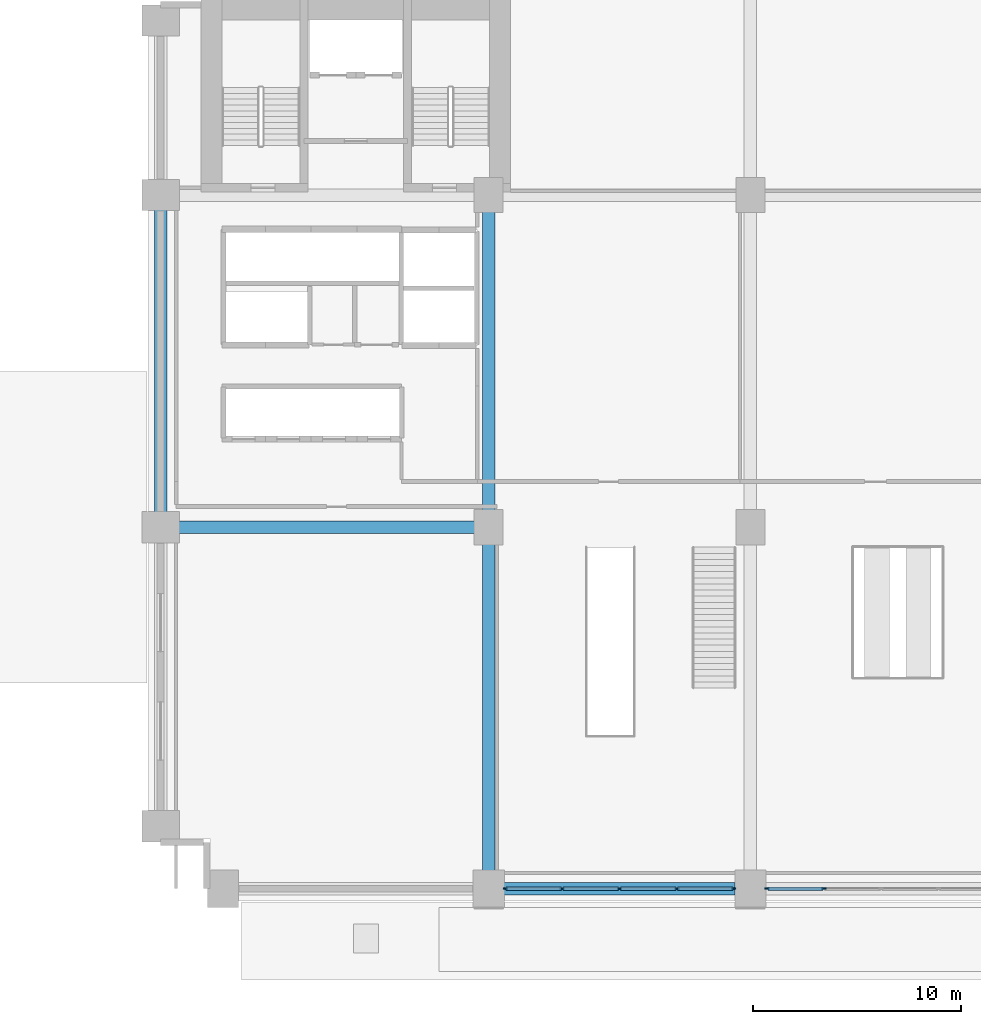
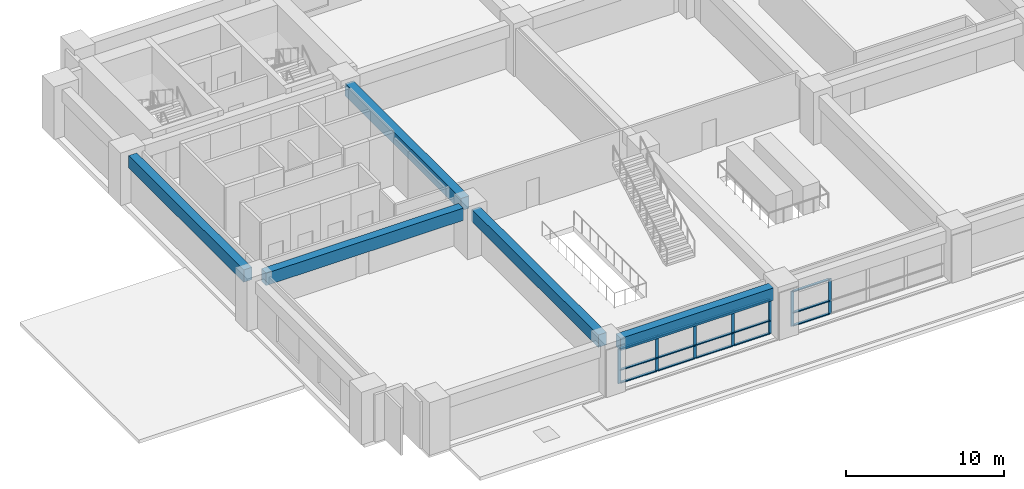
# One storey, part 2 of 11: 22 members, 5 beams, 2 elements without a shape of their own.
"""IFC4 building model written with IfcOpenShell, lengths in metres."""

from ifc_helpers import new_model, si_unit, direction, frame, origin, origin_2d, place, context, subcontext, project, spatial, rectangle, extrude, material, layer, layer_set, material_profile, profile_set, type_object, element, aggregate, save


model = new_model("IFC4")

# Units and contexts
model_context = context("Model", 3, precision=1e-05, world=origin(), true_north=direction((0.0, 1.0)))
body_context = subcontext(model_context, "Body", "Model", "MODEL_VIEW")
ifc_project = project(units=[si_unit("LENGTHUNIT", "METRE"), si_unit("AREAUNIT", "SQUARE_METRE"), si_unit("VOLUMEUNIT", "CUBIC_METRE"), si_unit("PLANEANGLEUNIT", "RADIAN"), si_unit("MASSUNIT", "GRAM", prefix="KILO")], contexts=[model_context])

# Site, building, storey
site_placement = place(None, origin())
site = spatial("IfcSite", under=ifc_project, at=site_placement, CompositionType="ELEMENT")
building_placement = place(site_placement, origin())
building = spatial("IfcBuilding", under=site, at=building_placement, Name="Sulina Concourse Tower", CompositionType="ELEMENT")
storey_placement = place(building_placement, frame((0.0, 0.0, 5.39990234375)))
storey = spatial("IfcBuildingStorey", under=building, at=storey_placement, Name="L01", CompositionType="ELEMENT", Elevation=5.39990234375)

# Beams
ifc_material_1 = material(Name="Concrete C60/75", Category="concrete")
ifc_material_profile_1 = material_profile(ifc_material_1, rectangle(XDim=0.60009765625, YDim=0.949951171875, at=origin_2d()), Name="RC 600x950")
ifc_profile_set_1 = profile_set([ifc_material_profile_1], Name="Concrete C60/75")
beam_type = type_object("IfcBeamType", Name="Basement & Podium Primary Beam 600x950", PredefinedType="BEAM", material=ifc_profile_set_1)
beam_1_placement = place(storey_placement, frame((1.330078125, 18.0, 3.175048828125), z_axis=(1.0, 0.0, 0.0), x_axis=(0.0, 1.0, 0.0)))
element("IfcBeam", 1, at=beam_1_placement, inside=storey, type_object=beam_type, Name="PB-M0-L01", PredefinedType="BEAM", context=body_context, shape_type="SweptSolid", body=[
    extrude(rectangle(XDim=0.60009765625, YDim=0.949951171875, at=origin_2d()), origin(), (0.0, 0.0, 1.0), 14.389892578125),
])
beam_2_placement = place(storey_placement, frame((17.1298828125, 0.60009765625, 3.175048828125), z_axis=(1.0, 0.0, 0.0), x_axis=(0.0, 1.0, 0.0)))
element("IfcBeam", 2, at=beam_2_placement, inside=storey, type_object=beam_type, Name="PB-S2-L01", PredefinedType="BEAM", context=body_context, shape_type="SweptSolid", body=[
    extrude(rectangle(XDim=0.60009765625, YDim=0.949951171875, at=origin_2d()), origin(), (0.0, 0.0, 1.0), 11.14013671875),
])
beam_3_placement = place(storey_placement, frame((0.60009765625, 18.72998046875, 3.175048828125), z_axis=(0.0, 1.0, 0.0), x_axis=(-1.0, 0.0, 0.0)))
element("IfcBeam", 3, at=beam_3_placement, inside=storey, type_object=beam_type, Name="PB-W2-L01", PredefinedType="BEAM", context=body_context, shape_type="SweptSolid", body=[
    extrude(rectangle(XDim=0.60009765625, YDim=0.949951171875, at=origin_2d()), origin(), (0.0, 0.0, 1.0), 14.5400390625),
])
beam_4_placement = place(storey_placement, frame((16.39990234375, 1.330078125, 3.175048828125), z_axis=(0.0, 1.0, 0.0), x_axis=(-1.0, 0.0, 0.0)))
element("IfcBeam", 4, at=beam_4_placement, inside=storey, type_object=beam_type, Name="PB-NS1A-L01", PredefinedType="BEAM", context=body_context, shape_type="SweptSolid", body=[
    extrude(rectangle(XDim=0.60009765625, YDim=0.949951171875, at=origin_2d()), origin(), (0.0, 0.0, 1.0), 15.989990234375),
])
beam_5_placement = place(storey_placement, frame((16.39990234375, 18.679931640625, 3.175048828125), z_axis=(0.0, 1.0, 0.0), x_axis=(-1.0, 0.0, 0.0)))
element("IfcBeam", 5, at=beam_5_placement, inside=storey, type_object=beam_type, Name="PB-NS1B-L01", PredefinedType="BEAM", context=body_context, shape_type="SweptSolid", body=[
    extrude(rectangle(XDim=0.60009765625, YDim=0.949951171875, at=origin_2d()), origin(), (0.0, 0.0, 1.0), 14.64013671875),
])

# Curtain wall, members
ifc_material_2 = material(Name="Anodised bronze aluminium", Category="aluminium")
ifc_layer = layer(ifc_material_2, 0.239990234375)
ifc_layer_set = layer_set([ifc_layer], Name="Anodised bronze aluminium")
curtain_wall_type = type_object("IfcCurtainWallType", Name="Station Concourse Curtain Wall System", PredefinedType="NOTDEFINED", material=ifc_layer_set)
curtain_wall_1_placement = place(storey_placement, origin())
curtain_wall_1 = element("IfcCurtainWall", 6, at=curtain_wall_1_placement, inside=storey, type_object=curtain_wall_type, Name="L01 glazed curtain wall S2", PredefinedType="NOTDEFINED")
ifc_material_3 = material(Name="Anodised bronze aluminium", Category="aluminium")
ifc_material_profile_2 = material_profile(ifc_material_3, rectangle(XDim=0.074951171875, YDim=0.219970703125, at=origin_2d()), Name="MUL 75x220")
ifc_profile_set_2 = profile_set([ifc_material_profile_2], Name="Anodised bronze aluminium")
member_type_1 = type_object("IfcMemberType", Name="Station Concourse Curtain Wall System Mullion 75x220", PredefinedType="MULLION", material=ifc_profile_set_2)
member_1_placement = place(storey_placement, frame((28.1923828125, 0.60009765625, 0.0), z_axis=(0.0, 0.0, 1.0), x_axis=(0.0, -1.0, 0.0)))
member_1 = element("IfcMember", 7, at=member_1_placement, type_object=member_type_1, Name="CW-01 mullion 1", PredefinedType="MULLION", context=body_context, shape_type="SweptSolid", body=[
    extrude(rectangle(XDim=0.074951171875, YDim=0.219970703125, at=origin_2d()), origin(), (0.0, 0.0, 1.0), 2.7001953125),
])
member_2_placement = place(storey_placement, frame((25.465087890625, 0.60009765625, 0.0), z_axis=(0.0, 0.0, 1.0), x_axis=(0.0, -1.0, 0.0)))
member_2 = element("IfcMember", 8, at=member_2_placement, type_object=member_type_1, Name="CW-01 mullion 2", PredefinedType="MULLION", context=body_context, shape_type="SweptSolid", body=[
    extrude(rectangle(XDim=0.074951171875, YDim=0.219970703125, at=origin_2d()), origin(), (0.0, 0.0, 1.0), 2.7001953125),
])
member_3_placement = place(storey_placement, frame((22.699951171875, 0.60009765625, 0.0), z_axis=(0.0, 0.0, 1.0), x_axis=(0.0, -1.0, 0.0)))
member_3 = element("IfcMember", 9, at=member_3_placement, type_object=member_type_1, Name="CW-01 mullion 3", PredefinedType="MULLION", context=body_context, shape_type="SweptSolid", body=[
    extrude(rectangle(XDim=0.074951171875, YDim=0.219970703125, at=origin_2d()), origin(), (0.0, 0.0, 1.0), 2.7001953125),
])
member_4_placement = place(storey_placement, frame((19.93505859375, 0.60009765625, 0.0), z_axis=(0.0, 0.0, 1.0), x_axis=(0.0, -1.0, 0.0)))
member_4 = element("IfcMember", 10, at=member_4_placement, type_object=member_type_1, Name="CW-01 mullion 4", PredefinedType="MULLION", context=body_context, shape_type="SweptSolid", body=[
    extrude(rectangle(XDim=0.074951171875, YDim=0.219970703125, at=origin_2d()), origin(), (0.0, 0.0, 1.0), 2.7001953125),
])
member_5_placement = place(storey_placement, frame((17.20751953125, 0.60009765625, 0.0), z_axis=(0.0, 0.0, 1.0), x_axis=(0.0, -1.0, 0.0)))
member_5 = element("IfcMember", 11, at=member_5_placement, type_object=member_type_1, Name="CW-01 mullion 5", PredefinedType="MULLION", context=body_context, shape_type="SweptSolid", body=[
    extrude(rectangle(XDim=0.074951171875, YDim=0.219970703125, at=origin_2d()), origin(), (0.0, 0.0, 1.0), 2.7001953125),
])

curtain_wall_2_placement = place(storey_placement, origin())
curtain_wall_2 = element("IfcCurtainWall", 12, at=curtain_wall_2_placement, inside=storey, type_object=curtain_wall_type, Name="L01 glazed curtain wall S3", PredefinedType="NOTDEFINED")
member_6_placement = place(storey_placement, frame((32.534912109375, 0.60009765625, 0.0), z_axis=(0.0, 0.0, 1.0), x_axis=(0.0, -1.0, 0.0)))
member_6 = element("IfcMember", 13, at=member_6_placement, type_object=member_type_1, Name="CW-01 mullion 4", PredefinedType="MULLION", context=body_context, shape_type="SweptSolid", body=[
    extrude(rectangle(XDim=0.074951171875, YDim=0.219970703125, at=origin_2d()), origin(), (0.0, 0.0, 1.0), 2.7001953125),
])
member_7_placement = place(storey_placement, frame((29.8076171875, 0.60009765625, 0.0), z_axis=(0.0, 0.0, 1.0), x_axis=(0.0, -1.0, 0.0)))
member_7 = element("IfcMember", 14, at=member_7_placement, type_object=member_type_1, Name="CW-01 mullion 5", PredefinedType="MULLION", context=body_context, shape_type="SweptSolid", body=[
    extrude(rectangle(XDim=0.074951171875, YDim=0.219970703125, at=origin_2d()), origin(), (0.0, 0.0, 1.0), 2.7001953125),
])

# Member
ifc_material_4 = material(Name="Anodised bronze aluminium", Category="aluminium")
ifc_material_profile_3 = material_profile(ifc_material_4, rectangle(XDim=0.179931640625, YDim=0.074951171875, at=origin_2d()), Name="TRN 75x180")
ifc_profile_set_3 = profile_set([ifc_material_profile_3], Name="Anodised bronze aluminium")
member_type_2 = type_object("IfcMemberType", Name="Station Concourse Curtain Wall System Transom 75x180", PredefinedType="USERDEFINED", material=ifc_profile_set_3)
member_8_placement = place(storey_placement, frame((28.155029296875, 0.60009765625, 0.03759765625), z_axis=(-1.0, 0.0, 0.0), x_axis=(0.0, -1.0, 0.0)))
member_8 = element("IfcMember", 15, at=member_8_placement, type_object=member_type_2, Name="CW-01 transom 1.1", ObjectType="TRANSOM", PredefinedType="USERDEFINED", context=body_context, shape_type="SweptSolid", body=[
    extrude(rectangle(XDim=0.179931640625, YDim=0.074951171875, at=origin_2d()), origin(), (0.0, 0.0, 1.0), 2.652587890625),
])

member_9_placement = place(storey_placement, frame((28.155029296875, 0.60009765625, 1.026123046875), z_axis=(-1.0, 0.0, 0.0), x_axis=(0.0, -1.0, 0.0)))
member_9 = element("IfcMember", 16, at=member_9_placement, type_object=member_type_2, Name="CW-01 transom 1.2", ObjectType="TRANSOM", PredefinedType="USERDEFINED", context=body_context, shape_type="SweptSolid", body=[
    extrude(rectangle(XDim=0.179931640625, YDim=0.074951171875, at=origin_2d()), origin(), (0.0, 0.0, 1.0), 2.652587890625),
])

member_10_placement = place(storey_placement, frame((28.155029296875, 0.60009765625, 2.66259765625), z_axis=(-1.0, 0.0, 0.0), x_axis=(0.0, -1.0, 0.0)))
member_10 = element("IfcMember", 17, at=member_10_placement, type_object=member_type_2, Name="CW-01 transom 1.3", ObjectType="TRANSOM", PredefinedType="USERDEFINED", context=body_context, shape_type="SweptSolid", body=[
    extrude(rectangle(XDim=0.179931640625, YDim=0.074951171875, at=origin_2d()), origin(), (0.0, 0.0, 1.0), 2.652587890625),
])

member_11_placement = place(storey_placement, frame((25.427490234375, 0.60009765625, 0.03759765625), z_axis=(-1.0, 0.0, 0.0), x_axis=(0.0, -1.0, 0.0)))
member_11 = element("IfcMember", 18, at=member_11_placement, type_object=member_type_2, Name="CW-01 transom 2.1", ObjectType="TRANSOM", PredefinedType="USERDEFINED", context=body_context, shape_type="SweptSolid", body=[
    extrude(rectangle(XDim=0.179931640625, YDim=0.074951171875, at=origin_2d()), origin(), (0.0, 0.0, 1.0), 2.68994140625),
])

member_12_placement = place(storey_placement, frame((25.427490234375, 0.60009765625, 1.026123046875), z_axis=(-1.0, 0.0, 0.0), x_axis=(0.0, -1.0, 0.0)))
member_12 = element("IfcMember", 19, at=member_12_placement, type_object=member_type_2, Name="CW-01 transom 2.2", ObjectType="TRANSOM", PredefinedType="USERDEFINED", context=body_context, shape_type="SweptSolid", body=[
    extrude(rectangle(XDim=0.179931640625, YDim=0.074951171875, at=origin_2d()), origin(), (0.0, 0.0, 1.0), 2.68994140625),
])

member_13_placement = place(storey_placement, frame((25.427490234375, 0.60009765625, 2.66259765625), z_axis=(-1.0, 0.0, 0.0), x_axis=(0.0, -1.0, 0.0)))
member_13 = element("IfcMember", 20, at=member_13_placement, type_object=member_type_2, Name="CW-01 transom 2.3", ObjectType="TRANSOM", PredefinedType="USERDEFINED", context=body_context, shape_type="SweptSolid", body=[
    extrude(rectangle(XDim=0.179931640625, YDim=0.074951171875, at=origin_2d()), origin(), (0.0, 0.0, 1.0), 2.68994140625),
])

member_14_placement = place(storey_placement, frame((22.66259765625, 0.60009765625, 0.03759765625), z_axis=(-1.0, 0.0, 0.0), x_axis=(0.0, -1.0, 0.0)))
member_14 = element("IfcMember", 21, at=member_14_placement, type_object=member_type_2, Name="CW-01 transom 3.1", ObjectType="TRANSOM", PredefinedType="USERDEFINED", context=body_context, shape_type="SweptSolid", body=[
    extrude(rectangle(XDim=0.179931640625, YDim=0.074951171875, at=origin_2d()), origin(), (0.0, 0.0, 1.0), 2.690185546875),
])

member_15_placement = place(storey_placement, frame((22.66259765625, 0.60009765625, 1.026123046875), z_axis=(-1.0, 0.0, 0.0), x_axis=(0.0, -1.0, 0.0)))
member_15 = element("IfcMember", 22, at=member_15_placement, type_object=member_type_2, Name="CW-01 transom 3.2", ObjectType="TRANSOM", PredefinedType="USERDEFINED", context=body_context, shape_type="SweptSolid", body=[
    extrude(rectangle(XDim=0.179931640625, YDim=0.074951171875, at=origin_2d()), origin(), (0.0, 0.0, 1.0), 2.690185546875),
])

member_16_placement = place(storey_placement, frame((22.66259765625, 0.60009765625, 2.66259765625), z_axis=(-1.0, 0.0, 0.0), x_axis=(0.0, -1.0, 0.0)))
member_16 = element("IfcMember", 23, at=member_16_placement, type_object=member_type_2, Name="CW-01 transom 3.3", ObjectType="TRANSOM", PredefinedType="USERDEFINED", context=body_context, shape_type="SweptSolid", body=[
    extrude(rectangle(XDim=0.179931640625, YDim=0.074951171875, at=origin_2d()), origin(), (0.0, 0.0, 1.0), 2.690185546875),
])

member_17_placement = place(storey_placement, frame((19.8974609375, 0.60009765625, 0.03759765625), z_axis=(-1.0, 0.0, 0.0), x_axis=(0.0, -1.0, 0.0)))
member_17 = element("IfcMember", 24, at=member_17_placement, type_object=member_type_2, Name="CW-01 transom 4.1", ObjectType="TRANSOM", PredefinedType="USERDEFINED", context=body_context, shape_type="SweptSolid", body=[
    extrude(rectangle(XDim=0.179931640625, YDim=0.074951171875, at=origin_2d()), origin(), (0.0, 0.0, 1.0), 2.65234375),
])

member_18_placement = place(storey_placement, frame((19.8974609375, 0.60009765625, 1.026123046875), z_axis=(-1.0, 0.0, 0.0), x_axis=(0.0, -1.0, 0.0)))
member_18 = element("IfcMember", 25, at=member_18_placement, type_object=member_type_2, Name="CW-01 transom 4.2", ObjectType="TRANSOM", PredefinedType="USERDEFINED", context=body_context, shape_type="SweptSolid", body=[
    extrude(rectangle(XDim=0.179931640625, YDim=0.074951171875, at=origin_2d()), origin(), (0.0, 0.0, 1.0), 2.65234375),
])

member_19_placement = place(storey_placement, frame((19.8974609375, 0.60009765625, 2.66259765625), z_axis=(-1.0, 0.0, 0.0), x_axis=(0.0, -1.0, 0.0)))
member_19 = element("IfcMember", 26, at=member_19_placement, type_object=member_type_2, Name="CW-01 transom 4.3", ObjectType="TRANSOM", PredefinedType="USERDEFINED", context=body_context, shape_type="SweptSolid", body=[
    extrude(rectangle(XDim=0.179931640625, YDim=0.074951171875, at=origin_2d()), origin(), (0.0, 0.0, 1.0), 2.65234375),
])

aggregate(curtain_wall_1, [member_1, member_2, member_3, member_4, member_5, member_8, member_9, member_10, member_11, member_12, member_13, member_14, member_15, member_16, member_17, member_18, member_19])

member_20_placement = place(storey_placement, frame((32.49755859375, 0.60009765625, 0.03759765625), z_axis=(-1.0, 0.0, 0.0), x_axis=(0.0, -1.0, 0.0)))
member_20 = element("IfcMember", 27, at=member_20_placement, type_object=member_type_2, Name="CW-01 transom 4.1", ObjectType="TRANSOM", PredefinedType="USERDEFINED", context=body_context, shape_type="SweptSolid", body=[
    extrude(rectangle(XDim=0.179931640625, YDim=0.074951171875, at=origin_2d()), origin(), (0.0, 0.0, 1.0), 2.652587890625),
])

member_21_placement = place(storey_placement, frame((32.49755859375, 0.60009765625, 1.026123046875), z_axis=(-1.0, 0.0, 0.0), x_axis=(0.0, -1.0, 0.0)))
member_21 = element("IfcMember", 28, at=member_21_placement, type_object=member_type_2, Name="CW-01 transom 4.2", ObjectType="TRANSOM", PredefinedType="USERDEFINED", context=body_context, shape_type="SweptSolid", body=[
    extrude(rectangle(XDim=0.179931640625, YDim=0.074951171875, at=origin_2d()), origin(), (0.0, 0.0, 1.0), 2.652587890625),
])

member_22_placement = place(storey_placement, frame((32.49755859375, 0.60009765625, 2.66259765625), z_axis=(-1.0, 0.0, 0.0), x_axis=(0.0, -1.0, 0.0)))
member_22 = element("IfcMember", 29, at=member_22_placement, type_object=member_type_2, Name="CW-01 transom 4.3", ObjectType="TRANSOM", PredefinedType="USERDEFINED", context=body_context, shape_type="SweptSolid", body=[
    extrude(rectangle(XDim=0.179931640625, YDim=0.074951171875, at=origin_2d()), origin(), (0.0, 0.0, 1.0), 2.652587890625),
])

aggregate(curtain_wall_2, [member_6, member_7, member_20, member_21, member_22])

save(model, "model.ifc")
